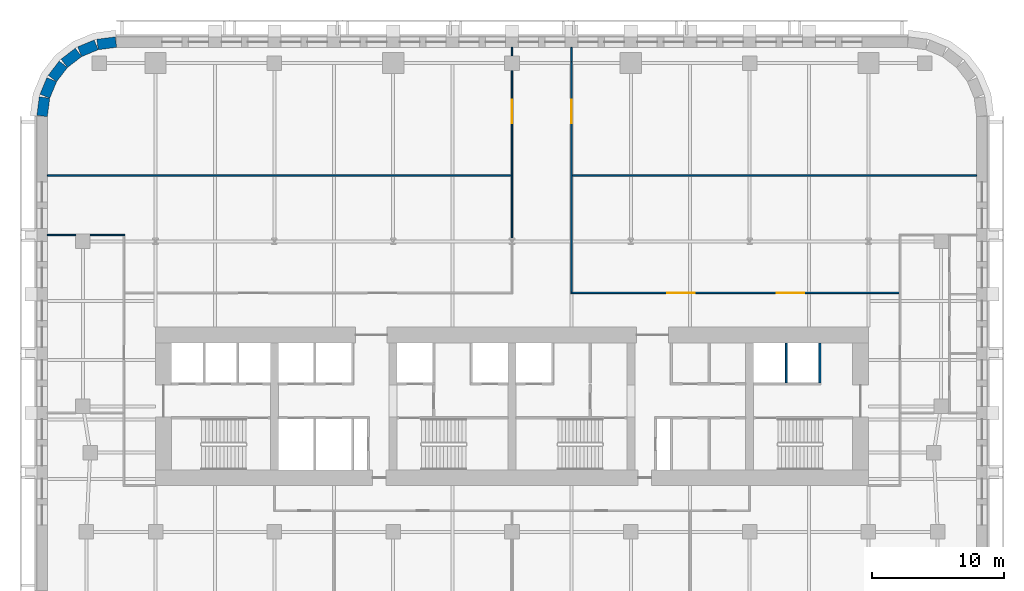
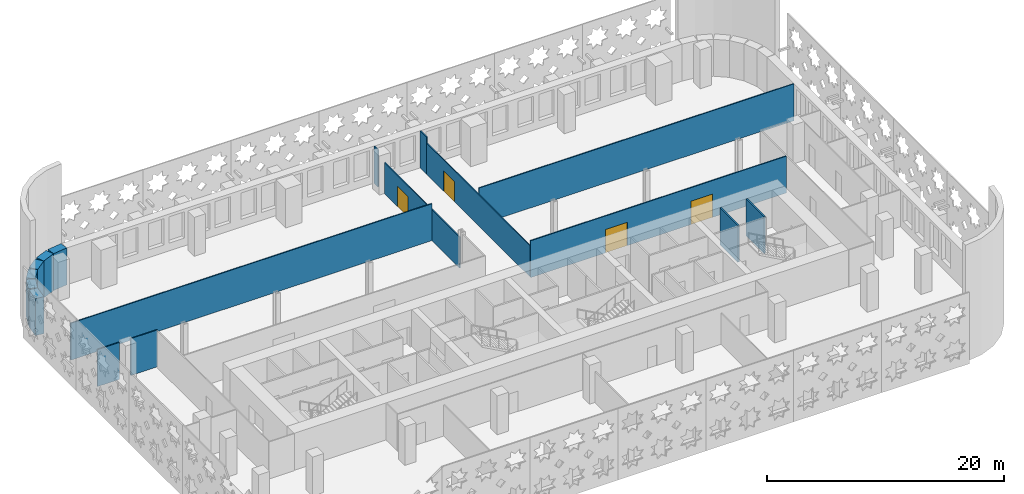
# One storey, part 7 of 15: 17 walls, 4 doors, 4 openings.
"""IFC4 building model written with IfcOpenShell, lengths in metres."""

from ifc_helpers import new_model, si_unit, direction, frame, frame_2d, origin, place, context, subcontext, project, spatial, rectangle, extrude, material, layer, layer_set, type_object, element, fill, save


model = new_model("IFC4")

# Units and contexts
model_context = context("Model", 3, precision=1e-05, world=origin(), true_north=direction((0.0, 1.0)))
body_context = subcontext(model_context, "Body", "Model", "MODEL_VIEW")
ifc_project = project(units=[si_unit("LENGTHUNIT", "METRE"), si_unit("AREAUNIT", "SQUARE_METRE"), si_unit("VOLUMEUNIT", "CUBIC_METRE"), si_unit("PLANEANGLEUNIT", "RADIAN"), si_unit("MASSUNIT", "GRAM", prefix="KILO")], contexts=[model_context])

# Site, building, storey
site_placement = place(None, origin())
site = spatial("IfcSite", under=ifc_project, at=site_placement, CompositionType="ELEMENT")
building_placement = place(site_placement, origin())
building = spatial("IfcBuilding", under=site, at=building_placement, Name="Zellij Exchange Tower", CompositionType="ELEMENT")
storey_placement = place(building_placement, frame((0.0, 0.0, 76.5)))
storey = spatial("IfcBuildingStorey", under=building, at=storey_placement, Name="L15", CompositionType="ELEMENT", Elevation=76.5)

# Walls
ifc_material_1 = material(Name="Gypsum shaft wall system")
ifc_layer_1 = layer(ifc_material_1, 0.14990234375)
ifc_layer_set_1 = layer_set([ifc_layer_1], Name="Gypsum shaft wall system")
wall_type_1 = type_object("IfcWallType", Name="CORE-PW 150 Lift shaft wall", PredefinedType="PARTITIONING", material=ifc_layer_set_1)
for number, where, z_axis, x_axis, name in (
    (1, (20.77490234375, -6.22509765625, 0.0), (0.0, 0.0, 1.0), (0.0, 1.0, 0.0), "Lift shaft wall L15"),
    (2, (23.324951171875, -6.22509765625, 0.0), (0.0, 0.0, 1.0), (0.0, 1.0, 0.0), "Lift shaft wall L15"),
):
    element("IfcWall", number, at=place(storey_placement, frame(where, z_axis=z_axis, x_axis=x_axis)), inside=storey, type_object=wall_type_1, Name=name, PredefinedType="PARTITIONING", context=body_context, shape_type="SweptSolid", body=[
        extrude(rectangle(XDim=3.025146484375, YDim=0.14990234375, at=frame_2d((1.5126953125, 0.0))), origin(), (0.0, 0.0, 1.0), 3.800048828125),
    ])
ifc_material_2 = material(Name="Precast concrete C40/50", Category="concrete")
ifc_layer_2 = layer(ifc_material_2, 0.800048828125)
ifc_layer_set_2 = layer_set([ifc_layer_2], Name="Precast concrete C40/50")
wall_type_2 = type_object("IfcWallType", Name="ENV-EW1 Precast stone-piered wall 800", PredefinedType="SOLIDWALL", material=ifc_layer_set_2)
wall_1_placement = place(storey_placement, frame((-29.999755859375, 19.5966796875, 0.0), z_axis=(0.0, 0.0, 1.0), x_axis=(-0.99144603414, -0.130517283865, 0.0)))
element("IfcWall", 3, at=wall_1_placement, inside=storey, type_object=wall_type_2, Name="fac.L15.15", PredefinedType="SOLIDWALL", context=body_context, shape_type="SweptSolid", body=[
    extrude(rectangle(XDim=1.408447265625, YDim=0.800048828125, at=frame_2d((0.7041015625, 0.0))), origin(), (0.0, 0.0, 1.0), 3.800048828125),
])
wall_2_placement = place(storey_placement, frame((-31.497314453125, 19.3857421875, 0.0), z_axis=(0.0, 0.0, 1.0), x_axis=(-0.923847774587, -0.38276009378, 0.0)))
element("IfcWall", 4, at=wall_2_placement, inside=storey, type_object=wall_type_2, Name="fac.L15.16", PredefinedType="SOLIDWALL", context=body_context, shape_type="SweptSolid", body=[
    extrude(rectangle(XDim=1.35546875, YDim=0.800048828125, at=frame_2d((0.677734375, 0.0))), origin(), (0.0, 0.0, 1.0), 3.800048828125),
])
for number, where, z_axis, x_axis, name in (
    (5, (-32.840087890625, 18.814697265625, 0.0), (0.0, 0.0, 1.0), (-0.793272915452, -0.608866226366, 0.0), "fac.L15.17"),
    (6, (-33.9892578125, 17.91552734375, 0.0), (0.0, 0.0, 1.0), (-0.608866226366, -0.793272915452, 0.0), "fac.L15.18"),
):
    element("IfcWall", number, at=place(storey_placement, frame(where, z_axis=z_axis, x_axis=x_axis)), inside=storey, type_object=wall_type_2, Name=name, PredefinedType="SOLIDWALL", context=body_context, shape_type="SweptSolid", body=[
        extrude(rectangle(XDim=1.355712890625, YDim=0.800048828125, at=frame_2d((0.677734375, 0.0))), origin(), (0.0, 0.0, 1.0), 3.800048828125),
    ])
wall_3_placement = place(storey_placement, frame((-34.866943359375, 16.74951171875, 0.0), z_axis=(0.0, 0.0, 1.0), x_axis=(-0.38276009378, -0.923847774587, 0.0)))
element("IfcWall", 7, at=wall_3_placement, inside=storey, type_object=wall_type_2, Name="fac.L15.19", PredefinedType="SOLIDWALL", context=body_context, shape_type="SweptSolid", body=[
    extrude(rectangle(XDim=1.35546875, YDim=0.800048828125, at=frame_2d((0.677734375, 0.0))), origin(), (0.0, 0.0, 1.0), 3.800048828125),
])
wall_4_placement = place(storey_placement, frame((-35.412841796875, 15.396240234375, 0.0), z_axis=(0.0, 0.0, 1.0), x_axis=(-0.130517283865, -0.99144603414, 0.0)))
element("IfcWall", 8, at=wall_4_placement, inside=storey, type_object=wall_type_2, Name="fac.L15.20", PredefinedType="SOLIDWALL", context=body_context, shape_type="SweptSolid", body=[
    extrude(rectangle(XDim=1.408447265625, YDim=0.800048828125, at=frame_2d((0.7041015625, 0.0))), origin(), (0.0, 0.0, 1.0), 3.800048828125),
])

# Wall, opening, door
ifc_material_3 = material(Name="Gypsum board partition on steel studs", Category="steel")
ifc_layer_3 = layer(ifc_material_3, 0.10009765625)
ifc_layer_set_3 = layer_set([ifc_layer_3], Name="Gypsum board partition on steel studs")
wall_type_3 = type_object("IfcWallType", Name="FIT-PARTITION-100", PredefinedType="PARTITIONING", material=ifc_layer_set_3)
wall_5_placement = place(storey_placement, frame((0.0, 4.7490234375, 0.0), z_axis=(0.0, 0.0, 1.0), x_axis=(0.0, 1.0, 0.0)))
wall_5 = element("IfcWall", 9, at=wall_5_placement, inside=storey, type_object=wall_type_3, Name="FIT-PARTITION-100 023", PredefinedType="PARTITIONING", context=body_context, shape_type="SweptSolid", body=[
    extrude(rectangle(XDim=12.700927734375, YDim=0.10009765625, at=frame_2d((6.3505859375, 0.0))), origin(), (0.0, 0.0, 1.0), 3.18798828125),
])
opening_1_placement = place(wall_5_placement, frame((8.68115234375, 0.0, 0.0)))
opening_1 = element("IfcOpeningElement", 10, at=opening_1_placement, cuts=wall_5, Name="Opening TC.14", PredefinedType="OPENING", context=body_context, shape_type="SweptSolid", body=[
    extrude(rectangle(XDim=1.800048828125, YDim=2.10009765625, at=frame_2d((0.89990234375, 1.050048828125))), frame((0.0, 0.06201171875, 0.0), z_axis=(0.0, -1.0, 0.0), x_axis=(1.0, 0.0, 0.0)), (0.0, 0.0, 1.0), 0.1240234375),
])
ifc_material_4 = material(Name="Timber door set", Category="wood")
door_type_1 = type_object("IfcDoorType", Name="FIT-D3-DOUBLE-1800X2100", OperationType="DOUBLE_DOOR_SINGLE_SWING", PredefinedType="DOOR", material=ifc_material_4)
door_1_placement = place(opening_1_placement, origin())
door_1 = element("IfcDoor", 11, at=door_1_placement, inside=storey, type_object=door_type_1, Name="Door TC.14", OperationType="DOUBLE_DOOR_SINGLE_SWING", OverallHeight=2.10009765625, OverallWidth=1.800048828125, PredefinedType="DOOR", context=body_context, shape_type="SweptSolid", body=[
    extrude(rectangle(XDim=1.800048828125, YDim=2.10009765625, at=frame_2d((0.89990234375, 1.050048828125))), frame((0.0, 0.02490234375, 0.0), z_axis=(0.0, -1.0, 0.0), x_axis=(1.0, 0.0, 0.0)), (0.0, 0.0, 1.0), 0.050048828125),
])
fill(opening_1, door_1)

# Wall
wall_6_placement = place(storey_placement, frame((0.0, 18.550048828125, 0.0), z_axis=(0.0, 0.0, 1.0), x_axis=(0.0, 1.0, 0.0)))
element("IfcWall", 12, at=wall_6_placement, inside=storey, type_object=wall_type_3, Name="FIT-PARTITION-100 024", PredefinedType="PARTITIONING", context=body_context, shape_type="SweptSolid", body=[
    extrude(rectangle(XDim=0.64990234375, YDim=0.10009765625, at=frame_2d((0.324951171875, 0.0))), origin(), (0.0, 0.0, 1.0), 3.800048828125),
])

# Wall, openings, doors
wall_7_placement = place(storey_placement, frame((4.449951171875, 0.60009765625, 0.0), z_axis=(0.0, 0.0, 1.0), x_axis=(1.0, 0.0, 0.0)))
wall_7 = element("IfcWall", 13, at=wall_7_placement, inside=storey, type_object=wall_type_3, Name="FIT-PARTITION-100 025", PredefinedType="PARTITIONING", context=body_context, shape_type="SweptSolid", body=[
    extrude(rectangle(XDim=24.900146484375, YDim=0.10009765625, at=frame_2d((12.4501953125, 0.0))), origin(), (0.0, 0.0, 1.0), 3.800048828125),
])
opening_2_placement = place(wall_7_placement, frame((7.300048828125, 0.0, 0.0)))
opening_2 = element("IfcOpeningElement", 14, at=opening_2_placement, cuts=wall_7, Name="Opening TC.11", PredefinedType="OPENING", context=body_context, shape_type="SweptSolid", body=[
    extrude(rectangle(XDim=2.10009765625, YDim=2.39990234375, at=frame_2d((1.050048828125, 1.199951171875))), frame((0.0, 0.06201171875, 0.0), z_axis=(0.0, -1.0, 0.0), x_axis=(1.0, 0.0, 0.0)), (0.0, 0.0, 1.0), 0.1240234375),
])
opening_3_placement = place(wall_7_placement, frame((15.60009765625, 0.0, 0.0)))
opening_3 = element("IfcOpeningElement", 15, at=opening_3_placement, cuts=wall_7, Name="Opening TC.12", PredefinedType="OPENING", context=body_context, shape_type="SweptSolid", body=[
    extrude(rectangle(XDim=2.10009765625, YDim=2.39990234375, at=frame_2d((1.050048828125, 1.199951171875))), frame((0.0, 0.06201171875, 0.0), z_axis=(0.0, -1.0, 0.0), x_axis=(1.0, 0.0, 0.0)), (0.0, 0.0, 1.0), 0.1240234375),
])
door_type_2 = type_object("IfcDoorType", Name="FIT-D7-ASSEMBLY-2100X2400", OperationType="DOUBLE_DOOR_SINGLE_SWING", PredefinedType="DOOR", material=ifc_material_4)
door_2_placement = place(opening_2_placement, origin())
door_2 = element("IfcDoor", 16, at=door_2_placement, inside=storey, type_object=door_type_2, Name="Door TC.11", OperationType="DOUBLE_DOOR_SINGLE_SWING", OverallHeight=2.39990234375, OverallWidth=2.10009765625, PredefinedType="DOOR", context=body_context, shape_type="SweptSolid", body=[
    extrude(rectangle(XDim=2.10009765625, YDim=2.39990234375, at=frame_2d((1.050048828125, 1.199951171875))), frame((0.0, 0.02490234375, 0.0), z_axis=(0.0, -1.0, 0.0), x_axis=(1.0, 0.0, 0.0)), (0.0, 0.0, 1.0), 0.050048828125),
])
fill(opening_2, door_2)
door_3_placement = place(opening_3_placement, origin())
door_3 = element("IfcDoor", 17, at=door_3_placement, inside=storey, type_object=door_type_2, Name="Door TC.12", OperationType="DOUBLE_DOOR_SINGLE_SWING", OverallHeight=2.39990234375, OverallWidth=2.10009765625, PredefinedType="DOOR", context=body_context, shape_type="SweptSolid", body=[
    extrude(rectangle(XDim=2.10009765625, YDim=2.39990234375, at=frame_2d((1.050048828125, 1.199951171875))), frame((0.0, 0.02490234375, 0.0), z_axis=(0.0, -1.0, 0.0), x_axis=(1.0, 0.0, 0.0)), (0.0, 0.0, 1.0), 0.050048828125),
])
fill(opening_3, door_3)

# Wall, opening, door
wall_8_placement = place(storey_placement, frame((4.5, 0.64990234375, 0.0), z_axis=(0.0, 0.0, 1.0), x_axis=(0.0, 1.0, 0.0)))
wall_8 = element("IfcWall", 18, at=wall_8_placement, inside=storey, type_object=wall_type_3, Name="FIT-PARTITION-100 026", PredefinedType="PARTITIONING", context=body_context, shape_type="SweptSolid", body=[
    extrude(rectangle(XDim=17.464599609375, YDim=0.10009765625, at=frame_2d((8.732421875, 0.0))), origin(), (0.0, 0.0, 1.0), 3.197998046875),
])
opening_4_placement = place(wall_8_placement, frame((12.780029296875, 0.0, 0.0)))
opening_4 = element("IfcOpeningElement", 19, at=opening_4_placement, cuts=wall_8, Name="Opening TC.15", PredefinedType="OPENING", context=body_context, shape_type="SweptSolid", body=[
    extrude(rectangle(XDim=1.800048828125, YDim=2.10009765625, at=frame_2d((0.89990234375, 1.050048828125))), frame((0.0, 0.06201171875, 0.0), z_axis=(0.0, -1.0, 0.0), x_axis=(1.0, 0.0, 0.0)), (0.0, 0.0, 1.0), 0.1240234375),
])
door_4_placement = place(opening_4_placement, origin())
door_4 = element("IfcDoor", 20, at=door_4_placement, inside=storey, type_object=door_type_1, Name="Door TC.15", OperationType="DOUBLE_DOOR_SINGLE_SWING", OverallHeight=2.10009765625, OverallWidth=1.800048828125, PredefinedType="DOOR", context=body_context, shape_type="SweptSolid", body=[
    extrude(rectangle(XDim=1.800048828125, YDim=2.10009765625, at=frame_2d((0.89990234375, 1.050048828125))), frame((0.0, 0.02490234375, 0.0), z_axis=(0.0, -1.0, 0.0), x_axis=(1.0, 0.0, 0.0)), (0.0, 0.0, 1.0), 0.050048828125),
])
fill(opening_4, door_4)

# Walls
wall_9_placement = place(storey_placement, frame((4.5, 18.114501953125, 0.0), z_axis=(0.0, 0.0, 1.0), x_axis=(0.0, 1.0, 0.0)))
element("IfcWall", 21, at=wall_9_placement, inside=storey, type_object=wall_type_3, Name="FIT-PARTITION-100 027", PredefinedType="PARTITIONING", context=body_context, shape_type="SweptSolid", body=[
    extrude(rectangle(XDim=1.08544921875, YDim=0.10009765625, at=frame_2d((0.542724609375, 0.0))), origin(), (0.0, 0.0, 1.0), 3.800048828125),
])
wall_10_placement = place(storey_placement, frame((-35.199951171875, 4.989990234375, 0.0), z_axis=(0.0, 0.0, 1.0), x_axis=(1.0, 0.0, 0.0)))
element("IfcWall", 22, at=wall_10_placement, inside=storey, type_object=wall_type_3, Name="FIT-PARTITION-100 028", PredefinedType="PARTITIONING", context=body_context, shape_type="SweptSolid", body=[
    extrude(rectangle(XDim=2.14990234375, YDim=0.10009765625, at=frame_2d((1.074951171875, 0.0))), origin(), (0.0, 0.0, 1.0), 3.800048828125),
])
wall_11_placement = place(storey_placement, frame((-31.949951171875, 4.989990234375, 0.0), z_axis=(0.0, 0.0, 1.0), x_axis=(1.0, 0.0, 0.0)))
element("IfcWall", 23, at=wall_11_placement, inside=storey, type_object=wall_type_3, Name="FIT-PARTITION-100 029", PredefinedType="PARTITIONING", context=body_context, shape_type="SweptSolid", body=[
    extrude(rectangle(XDim=2.599853515625, YDim=0.10009765625, at=frame_2d((1.2998046875, 0.0))), origin(), (0.0, 0.0, 1.0), 3.800048828125),
])
wall_12_placement = place(storey_placement, frame((-35.199951171875, 9.47998046875, 0.0), z_axis=(0.0, 0.0, 1.0), x_axis=(1.0, 0.0, 0.0)))
element("IfcWall", 24, at=wall_12_placement, inside=storey, type_object=wall_type_3, Name="FIT-PARTITION-100 032", PredefinedType="PARTITIONING", context=body_context, shape_type="SweptSolid", body=[
    extrude(rectangle(XDim=35.14990234375, YDim=0.10009765625, at=frame_2d((17.574951171875, 0.0))), origin(), (0.0, 0.0, 1.0), 3.800048828125),
])
wall_13_placement = place(storey_placement, frame((4.550048828125, 9.47998046875, 0.0), z_axis=(0.0, 0.0, 1.0), x_axis=(1.0, 0.0, 0.0)))
element("IfcWall", 25, at=wall_13_placement, inside=storey, type_object=wall_type_3, Name="FIT-PARTITION-100 033", PredefinedType="PARTITIONING", context=body_context, shape_type="SweptSolid", body=[
    extrude(rectangle(XDim=30.64990234375, YDim=0.10009765625, at=frame_2d((15.324951171875, 0.0))), origin(), (0.0, 0.0, 1.0), 3.800048828125),
])

save(model, "model.ifc")
